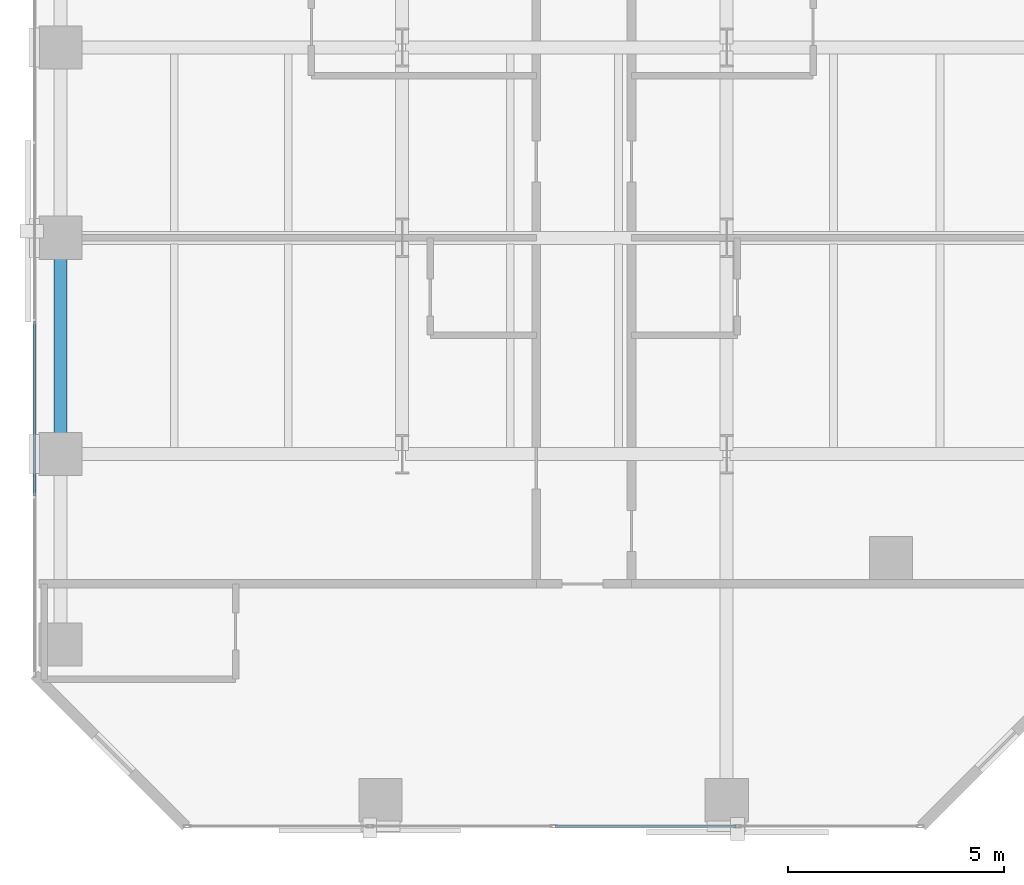
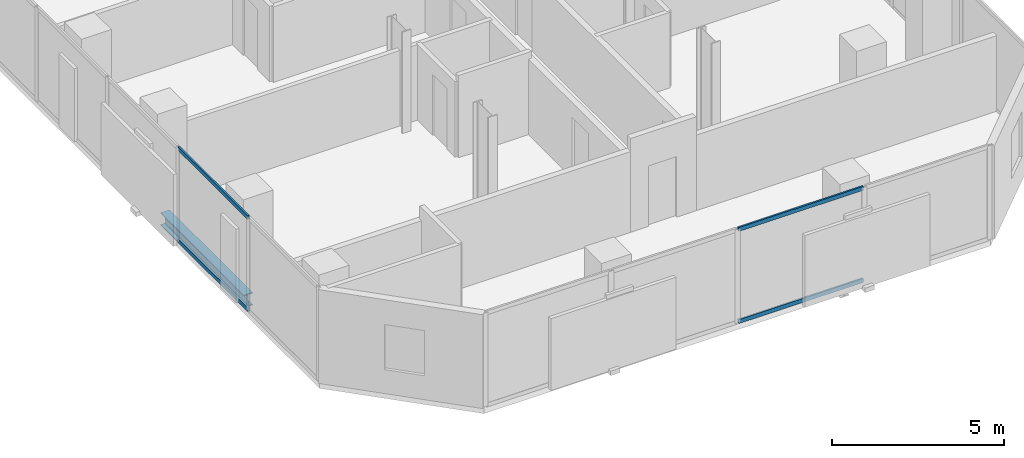
# One storey, part 3 of 31: 4 members, 1 beam, 2 elements without a shape of their own.
"""IFC4 building model written with IfcOpenShell, lengths in metres."""

from ifc_helpers import new_model, si_unit, direction, frame, origin, origin_2d, place, context, subcontext, project, spatial, hollow_rectangle, i_section, extrude, material, layer, layer_set, material_profile, profile_set, type_object, element, aggregate, save


model = new_model("IFC4")

# Units and contexts
model_context = context("Model", 3, precision=1e-05, world=origin(), true_north=direction((0.0, 1.0)))
body_context = subcontext(model_context, "Body", "Model", "MODEL_VIEW")
ifc_project = project(units=[si_unit("LENGTHUNIT", "METRE"), si_unit("AREAUNIT", "SQUARE_METRE"), si_unit("VOLUMEUNIT", "CUBIC_METRE"), si_unit("PLANEANGLEUNIT", "RADIAN"), si_unit("MASSUNIT", "GRAM", prefix="KILO")], contexts=[model_context])

# Site, building, storey
site_placement = place(None, origin())
site = spatial("IfcSite", under=ifc_project, at=site_placement, CompositionType="ELEMENT")
building_placement = place(site_placement, origin())
building = spatial("IfcBuilding", under=site, at=building_placement, Name="Catumbela Crestline Tower", CompositionType="ELEMENT")
storey_placement = place(building_placement, frame((0.0, 0.0, 25.8)))
storey = spatial("IfcBuildingStorey", under=building, at=storey_placement, Name="L05", CompositionType="ELEMENT", Elevation=25.8)

# Beam
ifc_material_1 = material(Name="Structural steel S355J2", Category="steel")
ifc_material_profile_1 = material_profile(ifc_material_1, i_section(OverallWidth=0.3, OverallDepth=0.45, WebThickness=0.014, FlangeThickness=0.026, FilletRadius=0.027, at=origin_2d()), Name="HEB 450")
ifc_profile_set_1 = profile_set([ifc_material_profile_1], Name="Structural steel S355J2")
beam_type = type_object("IfcBeamType", Name="BS-HEB450", PredefinedType="SPANDREL", material=ifc_profile_set_1)
beam_placement = place(storey_placement, frame((0.6, 8.68, -0.485), z_axis=(0.0, 1.0, 0.0), x_axis=(-1.0, 0.0, 0.0)))
element("IfcBeam", 1, at=beam_placement, inside=storey, type_object=beam_type, Name="L05 Spandrel SP-L05-WNS58", PredefinedType="SPANDREL", context=body_context, shape_type="SweptSolid", body=[
    extrude(i_section(OverallWidth=0.3, OverallDepth=0.45, WebThickness=0.014, FlangeThickness=0.026, FilletRadius=0.027, at=origin_2d()), origin(), (0.0, 0.0, 1.0), 4.84),
])

# Curtain wall, members
ifc_material_2 = material(Name="Aluminium alloy AW-6060-T66", Category="aluminium")
ifc_layer = layer(ifc_material_2, 0.18, Name="Aluminium alloy AW-6060-T66")
ifc_layer_set = layer_set([ifc_layer], Name="Aluminium alloy AW-6060-T66")
curtain_wall_type = type_object("IfcCurtainWallType", Name="CWU-Z1", PredefinedType="USERDEFINED", material=ifc_layer_set)
curtain_wall_1_placement = place(storey_placement, origin())
curtain_wall_1 = element("IfcCurtainWall", 2, at=curtain_wall_1_placement, inside=storey, type_object=curtain_wall_type, Name="L05 Unitised Curtain Wall CW-L05-E0S1", ObjectType="UNITISED", PredefinedType="USERDEFINED")
ifc_material_profile_2 = material_profile(ifc_material_2, hollow_rectangle(XDim=0.06, YDim=0.14, WallThickness=0.004, at=origin_2d()), Name="ALU 140x60x4")
ifc_profile_set_2 = profile_set([ifc_material_profile_2], Name="Aluminium alloy AW-6060-T66")
member_type = type_object("IfcMemberType", Name="TRN-140X60", PredefinedType="USERDEFINED", material=ifc_profile_set_2)
member_1_placement = place(storey_placement, frame((12.0325, 0.0, 0.03), z_axis=(1.0, 0.0, 0.0), x_axis=(0.0, 1.0, 0.0)))
member_1 = element("IfcMember", 3, at=member_1_placement, type_object=member_type, Name="CWU-Z1 transom 3.1", ObjectType="TRANSOM", PredefinedType="USERDEFINED", context=body_context, shape_type="SweptSolid", body=[
    extrude(hollow_rectangle(XDim=0.06, YDim=0.14, WallThickness=0.004, at=origin_2d()), origin(), (0.0, 0.0, 1.0), 4.185),
])
member_2_placement = place(storey_placement, frame((12.0325, 0.0, 3.3), z_axis=(1.0, 0.0, 0.0), x_axis=(0.0, 1.0, 0.0)))
member_2 = element("IfcMember", 4, at=member_2_placement, type_object=member_type, Name="CWU-Z1 transom 3.2", ObjectType="TRANSOM", PredefinedType="USERDEFINED", context=body_context, shape_type="SweptSolid", body=[
    extrude(hollow_rectangle(XDim=0.06, YDim=0.14, WallThickness=0.004, at=origin_2d()), origin(), (0.0, 0.0, 1.0), 4.185),
])
aggregate(curtain_wall_1, [member_1, member_2])

curtain_wall_2_placement = place(storey_placement, origin())
curtain_wall_2 = element("IfcCurtainWall", 5, at=curtain_wall_2_placement, inside=storey, type_object=curtain_wall_type, Name="L05 Unitised Curtain Wall CW-L05-E9S1", ObjectType="UNITISED", PredefinedType="USERDEFINED")
member_3_placement = place(storey_placement, frame((0.0, 11.6675, 0.03), z_axis=(0.0, -1.0, 0.0), x_axis=(1.0, 0.0, 0.0)))
member_3 = element("IfcMember", 6, at=member_3_placement, type_object=member_type, Name="CWU-Z1 transom 9.1", ObjectType="TRANSOM", PredefinedType="USERDEFINED", context=body_context, shape_type="SweptSolid", body=[
    extrude(hollow_rectangle(XDim=0.06, YDim=0.14, WallThickness=0.004, at=origin_2d()), origin(), (0.0, 0.0, 1.0), 4.035),
])
member_4_placement = place(storey_placement, frame((0.0, 11.6675, 3.3), z_axis=(0.0, -1.0, 0.0), x_axis=(1.0, 0.0, 0.0)))
member_4 = element("IfcMember", 7, at=member_4_placement, type_object=member_type, Name="CWU-Z1 transom 9.2", ObjectType="TRANSOM", PredefinedType="USERDEFINED", context=body_context, shape_type="SweptSolid", body=[
    extrude(hollow_rectangle(XDim=0.06, YDim=0.14, WallThickness=0.004, at=origin_2d()), origin(), (0.0, 0.0, 1.0), 4.035),
])
aggregate(curtain_wall_2, [member_3, member_4])

save(model, "model.ifc")
